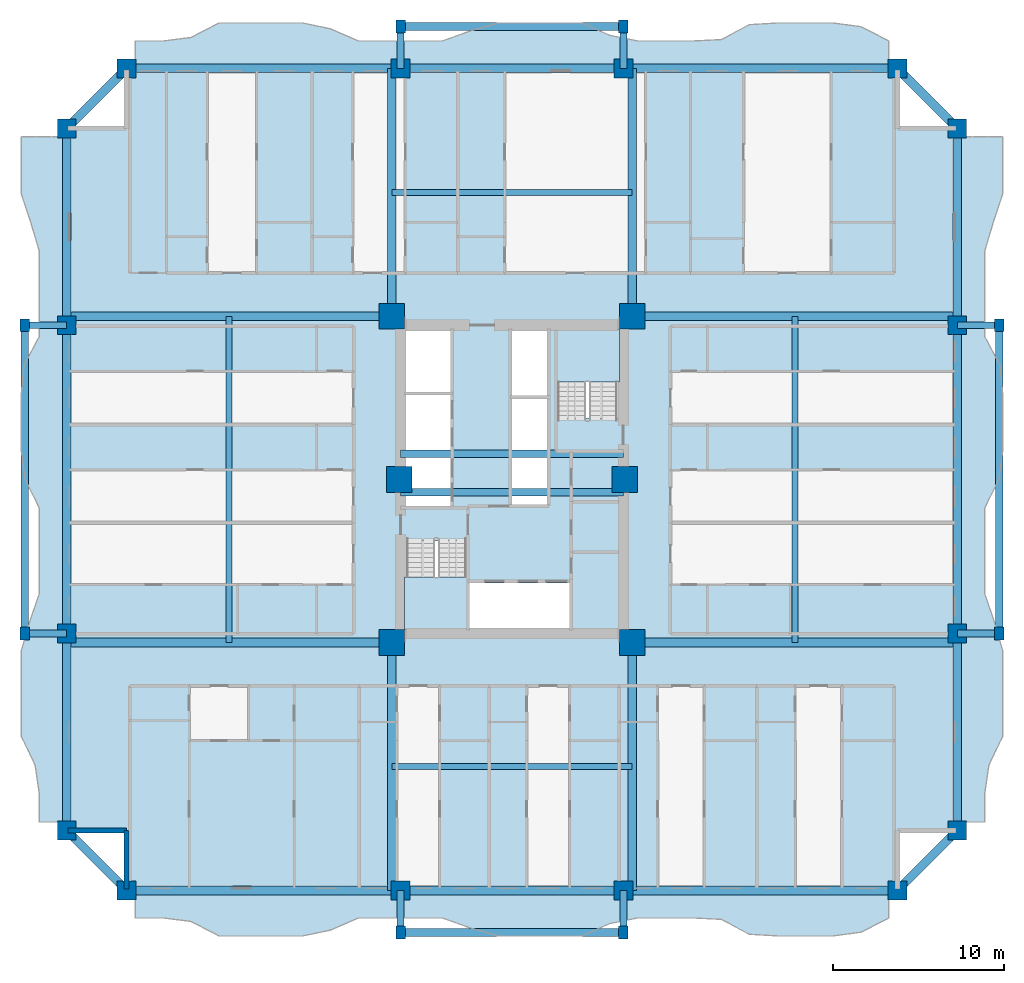
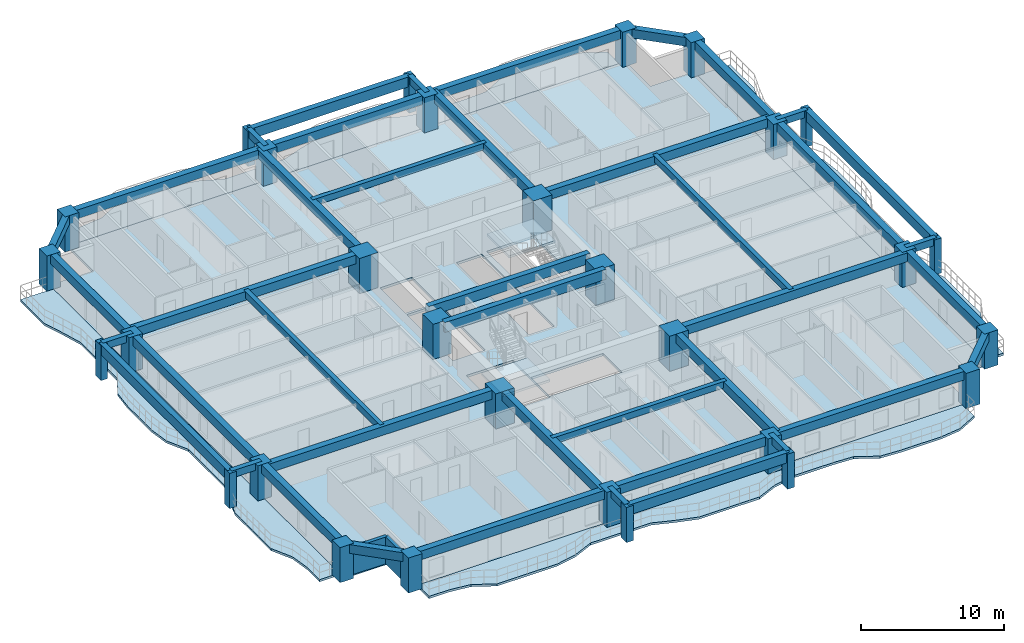
# One storey, part 1 of 16: 42 beams, 30 columns, 7 slabs, 2 walls, 2 elements without a shape of their own.
"""IFC4 building model written with IfcOpenShell, lengths in metres."""

from ifc_helpers import new_model, si_unit, direction, frame, frame_2d, origin, origin_2d, place, context, subcontext, project, spatial, polyline, rectangle, outline, extrude, source, transform, mapped, material, layer, layer_set, material_profile, profile_set, type_object, element, aggregate, save


model = new_model("IFC4")

# Units and contexts
model_context = context("Model", 3, precision=1e-05, world=origin(), true_north=direction((0.0, 1.0)))
body_context = subcontext(model_context, "Body", "Model", "MODEL_VIEW")
ifc_project = project(units=[si_unit("LENGTHUNIT", "METRE"), si_unit("AREAUNIT", "SQUARE_METRE"), si_unit("VOLUMEUNIT", "CUBIC_METRE"), si_unit("PLANEANGLEUNIT", "RADIAN"), si_unit("MASSUNIT", "GRAM", prefix="KILO")], contexts=[model_context])

# Site, building, storey
site_placement = place(None, origin())
site = spatial("IfcSite", under=ifc_project, at=site_placement, CompositionType="ELEMENT")
building_placement = place(site_placement, origin())
building = spatial("IfcBuilding", under=site, at=building_placement, Name="Saelheon Loggia Tower", CompositionType="ELEMENT")
storey_placement = place(building_placement, frame((0.0, 0.0, 58.39990234375)))
storey = spatial("IfcBuildingStorey", under=building, at=storey_placement, Name="L18", CompositionType="ELEMENT", Elevation=58.39990234375)

# Columns
ifc_material_1 = material(Name="Concrete C60/75", Category="concrete")
ifc_material_profile_1 = material_profile(ifc_material_1, rectangle(XDim=1.5, YDim=1.5, at=origin_2d()), Name="RC-1500x1500")
ifc_profile_set_1 = profile_set([ifc_material_profile_1], Name="Concrete C60/75")
column_type_1 = type_object("IfcColumnType", Name="Col_Core_RC1500", PredefinedType="COLUMN", material=ifc_profile_set_1)
shared_shape_1 = source(origin(), body_context, "Body", "SweptSolid", [
    extrude(rectangle(XDim=1.5, YDim=1.5, at=origin_2d()), origin(), (0.0, 0.0, 1.0), 3.0),
])
for number, where, z_axis, x_axis, name in (
    (1, (30.97998046875, 17.47998046875, 0.0), (0.0, 0.0, 1.0), (1.0, 0.0, 0.0), "L18 Core Column CR-SW"),
    (2, (45.02001953125, 17.47998046875, 0.0), (0.0, 0.0, 1.0), (1.0, 0.0, 0.0), "L18 Core Column CR-SE"),
    (3, (30.97998046875, 36.52001953125, 0.0), (0.0, 0.0, 1.0), (1.0, 0.0, 0.0), "L18 Core Column CR-NW"),
    (4, (45.02001953125, 36.52001953125, 0.0), (0.0, 0.0, 1.0), (1.0, 0.0, 0.0), "L18 Core Column CR-NE"),
    (5, (31.419921875, 27.0, 0.0), (0.0, 0.0, 1.0), (1.0, 0.0, 0.0), "L18 Core Column CR-MW"),
    (6, (44.580078125, 27.0, 0.0), (0.0, 0.0, 1.0), (1.0, 0.0, 0.0), "L18 Core Column CR-ME"),
):
    element("IfcColumn", number, at=place(storey_placement, frame(where, z_axis=z_axis, x_axis=x_axis)), inside=storey, type_object=column_type_1, Name=name, PredefinedType="COLUMN", context=body_context, shape_type="MappedRepresentation", body=[
        mapped(shared_shape_1, transform((0.0, 0.0, 0.0), scale=1.0)),
    ])
ifc_material_2 = material(Name="Concrete C50/60", Category="concrete")
ifc_material_profile_2 = material_profile(ifc_material_2, rectangle(XDim=1.10009765625, YDim=1.10009765625, at=origin_2d()), Name="RC-1100x1100")
ifc_profile_set_2 = profile_set([ifc_material_profile_2], Name="Concrete C50/60")
column_type_2 = type_object("IfcColumnType", Name="Col_PerimExt_RC1100", PredefinedType="COLUMN", material=ifc_profile_set_2)
shared_shape_2 = source(origin(), body_context, "Body", "SweptSolid", [
    extrude(rectangle(XDim=1.10009765625, YDim=1.10009765625, at=origin_2d()), origin(), (0.0, 0.0, 1.0), 3.0),
])
for number, where, z_axis, x_axis, name in (
    (7, (15.5, 3.0, 0.0), (0.0, 0.0, 1.0), (1.0, 0.0, 0.0), "L18 Perimeter Column TP-S1"),
    (8, (31.5, 3.0, 0.0), (0.0, 0.0, 1.0), (1.0, 0.0, 0.0), "L18 Perimeter Column TP-SA"),
    (9, (44.5, 3.0, 0.0), (0.0, 0.0, 1.0), (1.0, 0.0, 0.0), "L18 Perimeter Column TP-SB"),
    (10, (60.5, 3.0, 0.0), (0.0, 0.0, 1.0), (1.0, 0.0, 0.0), "L18 Perimeter Column TP-S2"),
    (11, (64.0, 6.5, 0.0), (0.0, 0.0, 1.0), (1.0, 0.0, 0.0), "L18 Perimeter Column TP-E1"),
    (12, (64.0, 18.0, 0.0), (0.0, 0.0, 1.0), (1.0, 0.0, 0.0), "L18 Perimeter Column TP-EA"),
    (13, (64.0, 36.0, 0.0), (0.0, 0.0, 1.0), (1.0, 0.0, 0.0), "L18 Perimeter Column TP-EB"),
    (14, (64.0, 47.5, 0.0), (0.0, 0.0, 1.0), (1.0, 0.0, 0.0), "L18 Perimeter Column TP-E2"),
    (15, (60.5, 51.0, 0.0), (0.0, 0.0, 1.0), (1.0, 0.0, 0.0), "L18 Perimeter Column TP-N2"),
    (16, (44.5, 51.0, 0.0), (0.0, 0.0, 1.0), (1.0, 0.0, 0.0), "L18 Perimeter Column TP-NB"),
    (17, (31.5, 51.0, 0.0), (0.0, 0.0, 1.0), (1.0, 0.0, 0.0), "L18 Perimeter Column TP-NA"),
    (18, (15.5, 51.0, 0.0), (0.0, 0.0, 1.0), (1.0, 0.0, 0.0), "L18 Perimeter Column TP-N1"),
    (19, (12.0, 47.5, 0.0), (0.0, 0.0, 1.0), (1.0, 0.0, 0.0), "L18 Perimeter Column TP-W2"),
    (20, (12.0, 36.0, 0.0), (0.0, 0.0, 1.0), (1.0, 0.0, 0.0), "L18 Perimeter Column TP-WB"),
    (21, (12.0, 18.0, 0.0), (0.0, 0.0, 1.0), (1.0, 0.0, 0.0), "L18 Perimeter Column TP-WA"),
    (22, (12.0, 6.5, 0.0), (0.0, 0.0, 1.0), (1.0, 0.0, 0.0), "L18 Perimeter Column TP-W1"),
):
    element("IfcColumn", number, at=place(storey_placement, frame(where, z_axis=z_axis, x_axis=x_axis)), inside=storey, type_object=column_type_2, Name=name, PredefinedType="COLUMN", context=body_context, shape_type="MappedRepresentation", body=[
        mapped(shared_shape_2, transform((0.0, 0.0, 0.0), scale=1.0)),
    ])
ifc_material_3 = material(Name="Precast Concrete C45/55", Category="concrete")
ifc_material_profile_3 = material_profile(ifc_material_3, rectangle(XDim=0.550048828125, YDim=0.75, at=origin_2d()), Name="RC-550x750")
ifc_profile_set_3 = profile_set([ifc_material_profile_3], Name="Precast Concrete C45/55")
column_type_3 = type_object("IfcColumnType", Name="Col_Loggia_Pilaster_750", PredefinedType="PILASTER", material=ifc_profile_set_3)
shared_shape_3 = source(origin(), body_context, "Body", "SweptSolid", [
    extrude(rectangle(XDim=0.550048828125, YDim=0.75, at=origin_2d()), origin(), (0.0, 0.0, 1.0), 3.0),
])
for number, where, z_axis, x_axis, name in (
    (23, (31.5, 0.550048828125, 0.0), (0.0, 0.0, 1.0), (1.0, 0.0, 0.0), "L18 Loggia Frame Pilaster LP-S1"),
    (24, (44.5, 0.550048828125, 0.0), (0.0, 0.0, 1.0), (1.0, 0.0, 0.0), "L18 Loggia Frame Pilaster LP-S2"),
    (25, (31.5, 53.449951171875, 0.0), (0.0, 0.0, 1.0), (1.0, 0.0, 0.0), "L18 Loggia Frame Pilaster LP-N1"),
    (26, (44.5, 53.449951171875, 0.0), (0.0, 0.0, 1.0), (1.0, 0.0, 0.0), "L18 Loggia Frame Pilaster LP-N2"),
    (27, (66.449951171875, 18.0, 0.0), (0.0, 0.0, 1.0), (1.0, 0.0, 0.0), "L18 Loggia Frame Pilaster LP-E1"),
    (28, (66.449951171875, 36.0, 0.0), (0.0, 0.0, 1.0), (1.0, 0.0, 0.0), "L18 Loggia Frame Pilaster LP-E2"),
    (29, (9.550048828125, 18.0, 0.0), (0.0, 0.0, 1.0), (1.0, 0.0, 0.0), "L18 Loggia Frame Pilaster LP-W1"),
    (30, (9.550048828125, 36.0, 0.0), (0.0, 0.0, 1.0), (1.0, 0.0, 0.0), "L18 Loggia Frame Pilaster LP-W2"),
):
    element("IfcColumn", number, at=place(storey_placement, frame(where, z_axis=z_axis, x_axis=x_axis)), inside=storey, type_object=column_type_3, Name=name, PredefinedType="PILASTER", context=body_context, shape_type="MappedRepresentation", body=[
        mapped(shared_shape_3, transform((0.0, 0.0, 0.0), scale=1.0)),
    ])

# Beams
ifc_material_profile_4 = material_profile(ifc_material_2, rectangle(XDim=0.449951171875, YDim=0.85009765625, at=origin_2d()), Name="RC-450x850")
ifc_profile_set_4 = profile_set([ifc_material_profile_4], Name="Concrete C50/60")
beam_type_1 = type_object("IfcBeamType", Name="Beam_CoreLintel_RC450x850", PredefinedType="LINTEL", material=ifc_profile_set_4)
shared_shape_4 = source(origin(), body_context, "Body", "SweptSolid", [
    extrude(rectangle(XDim=0.449951171875, YDim=0.85009765625, at=origin_2d()), origin(), (0.0, 0.0, 1.0), 13.0),
])
for number, where, z_axis, x_axis, name in (
    (31, (31.5, 26.25, 2.5751953125), (1.0, 0.0, 0.0), (0.0, 1.0, 0.0), "L18 Core Coupling Lintel 1"),
    (32, (31.5, 28.5, 2.5751953125), (1.0, 0.0, 0.0), (0.0, 1.0, 0.0), "L18 Core Coupling Lintel 2"),
):
    element("IfcBeam", number, at=place(storey_placement, frame(where, z_axis=z_axis, x_axis=x_axis)), inside=storey, type_object=beam_type_1, Name=name, PredefinedType="LINTEL", context=body_context, shape_type="MappedRepresentation", body=[
        mapped(shared_shape_4, transform((0.0, 0.0, 0.0), scale=1.0)),
    ])
ifc_material_profile_5 = material_profile(ifc_material_3, rectangle(XDim=0.449951171875, YDim=0.85009765625, at=origin_2d()), Name="RC-450x850")
ifc_profile_set_5 = profile_set([ifc_material_profile_5], Name="Precast Concrete C45/55")
beam_type_2 = type_object("IfcBeamType", Name="Beam_LoggiaSpandrel_RC450x850", PredefinedType="SPANDREL", material=ifc_profile_set_5)
for number, where, z_axis, x_axis, name in (
    (33, (31.5, 0.550048828125, 2.5751953125), (1.0, 0.0, 0.0), (0.0, 1.0, 0.0), "L18 Loggia Spandrel Beam S"),
    (34, (31.5, 53.449951171875, 2.5751953125), (1.0, 0.0, 0.0), (0.0, 1.0, 0.0), "L18 Loggia Spandrel Beam N"),
):
    element("IfcBeam", number, at=place(storey_placement, frame(where, z_axis=z_axis, x_axis=x_axis)), inside=storey, type_object=beam_type_2, Name=name, PredefinedType="SPANDREL", context=body_context, shape_type="MappedRepresentation", body=[
        mapped(shared_shape_4, transform((0.0, 0.0, 0.0), scale=1.0)),
    ])
ifc_material_4 = material(Name="Concrete C45/55", Category="concrete")
ifc_material_profile_6 = material_profile(ifc_material_4, rectangle(XDim=0.5, YDim=0.75, at=origin_2d()), Name="RC-500x750")
ifc_profile_set_6 = profile_set([ifc_material_profile_6], Name="Concrete C45/55")
beam_type_3 = type_object("IfcBeamType", Name="Beam_FloorGirder_RC500x750", PredefinedType="BEAM", material=ifc_profile_set_6)
shared_shape_5 = source(origin(), body_context, "Body", "SweptSolid", [
    extrude(rectangle(XDim=0.5, YDim=0.75, at=origin_2d()), origin(), (0.0, 0.0, 1.0), 14.47998046875),
])
for number, where, z_axis, x_axis, name in (
    (35, (30.97998046875, 17.47998046875, 2.625), (0.0, -1.0, 0.0), (1.0, 0.0, 0.0), "L18 Radial Floor Girder RAD-SW-S"),
    (36, (45.02001953125, 17.47998046875, 2.625), (0.0, -1.0, 0.0), (1.0, 0.0, 0.0), "L18 Radial Floor Girder RAD-SE-S"),
    (37, (30.97998046875, 36.52001953125, 2.625), (0.0, 1.0, 0.0), (-1.0, 0.0, 0.0), "L18 Radial Floor Girder RAD-NW-N"),
    (38, (45.02001953125, 36.52001953125, 2.625), (0.0, 1.0, 0.0), (-1.0, 0.0, 0.0), "L18 Radial Floor Girder RAD-NE-N"),
):
    element("IfcBeam", number, at=place(storey_placement, frame(where, z_axis=z_axis, x_axis=x_axis)), inside=storey, type_object=beam_type_3, Name=name, PredefinedType="BEAM", context=body_context, shape_type="MappedRepresentation", body=[
        mapped(shared_shape_5, transform((0.0, 0.0, 0.0), scale=1.0)),
    ])
ifc_material_profile_7 = material_profile(ifc_material_4, rectangle(XDim=0.5, YDim=0.75, at=origin_2d()), Name="RC-500x750")
ifc_profile_set_7 = profile_set([ifc_material_profile_7], Name="Concrete C45/55")
beam_type_4 = type_object("IfcBeamType", Name="Beam_PerimGirder_RC500x750", PredefinedType="BEAM", material=ifc_profile_set_7)
shared_shape_6 = source(origin(), body_context, "Body", "SweptSolid", [
    extrude(rectangle(XDim=0.5, YDim=0.75, at=origin_2d()), origin(), (0.0, 0.0, 1.0), 16.0),
])
for number, where, z_axis, x_axis, name in (
    (39, (15.5, 3.0, 2.625), (1.0, 0.0, 0.0), (0.0, 1.0, 0.0), "L18 Perimeter Frame Girder 01"),
    (40, (44.5, 3.0, 2.625), (1.0, 0.0, 0.0), (0.0, 1.0, 0.0), "L18 Perimeter Frame Girder 03"),
    (41, (60.5, 51.0, 2.625), (-1.0, 0.0, 0.0), (0.0, -1.0, 0.0), "L18 Perimeter Frame Girder 09"),
    (42, (31.5, 51.0, 2.625), (-1.0, 0.0, 0.0), (0.0, -1.0, 0.0), "L18 Perimeter Frame Girder 11"),
):
    element("IfcBeam", number, at=place(storey_placement, frame(where, z_axis=z_axis, x_axis=x_axis)), inside=storey, type_object=beam_type_4, Name=name, PredefinedType="BEAM", context=body_context, shape_type="MappedRepresentation", body=[
        mapped(shared_shape_6, transform((0.0, 0.0, 0.0), scale=1.0)),
    ])
shared_shape_7 = source(origin(), body_context, "Body", "SweptSolid", [
    extrude(rectangle(XDim=0.5, YDim=0.75, at=origin_2d()), origin(), (0.0, 0.0, 1.0), 13.0),
])
for number, where, z_axis, x_axis, name in (
    (43, (31.5, 3.0, 2.625), (1.0, 0.0, 0.0), (0.0, 1.0, 0.0), "L18 Perimeter Frame Girder 02"),
    (44, (44.5, 51.0, 2.625), (-1.0, 0.0, 0.0), (0.0, -1.0, 0.0), "L18 Perimeter Frame Girder 10"),
):
    element("IfcBeam", number, at=place(storey_placement, frame(where, z_axis=z_axis, x_axis=x_axis)), inside=storey, type_object=beam_type_4, Name=name, PredefinedType="BEAM", context=body_context, shape_type="MappedRepresentation", body=[
        mapped(shared_shape_7, transform((0.0, 0.0, 0.0), scale=1.0)),
    ])
shared_shape_8 = source(origin(), body_context, "Body", "SweptSolid", [
    extrude(rectangle(XDim=0.5, YDim=0.75, at=origin_2d()), origin(), (0.0, 0.0, 1.0), 4.94970703125),
])
for number, where, z_axis, x_axis, name in (
    (45, (60.5, 3.0, 2.625), (0.707106781187, 0.707106781187, 0.0), (-0.707106781187, 0.707106781187, 0.0), "L18 Perimeter Frame Girder 04"),
    (46, (64.0, 47.5, 2.625), (-0.707106781187, 0.707106781187, 0.0), (-0.707106781187, -0.707106781187, 0.0), "L18 Perimeter Frame Girder 08"),
    (47, (15.5, 51.0, 2.625), (-0.707106781187, -0.707106781187, 0.0), (0.707106781187, -0.707106781187, 0.0), "L18 Perimeter Frame Girder 12"),
    (48, (12.0, 6.5, 2.625), (0.707106781187, -0.707106781187, 0.0), (0.707106781187, 0.707106781187, 0.0), "L18 Perimeter Frame Girder 16"),
):
    element("IfcBeam", number, at=place(storey_placement, frame(where, z_axis=z_axis, x_axis=x_axis)), inside=storey, type_object=beam_type_4, Name=name, PredefinedType="BEAM", context=body_context, shape_type="MappedRepresentation", body=[
        mapped(shared_shape_8, transform((0.0, 0.0, 0.0), scale=1.0)),
    ])
shared_shape_9 = source(origin(), body_context, "Body", "SweptSolid", [
    extrude(rectangle(XDim=0.5, YDim=0.75, at=origin_2d()), origin(), (0.0, 0.0, 1.0), 11.5),
])
for number, where, z_axis, x_axis, name in (
    (49, (64.0, 6.5, 2.625), (0.0, 1.0, 0.0), (-1.0, 0.0, 0.0), "L18 Perimeter Frame Girder 05"),
    (50, (64.0, 36.0, 2.625), (0.0, 1.0, 0.0), (-1.0, 0.0, 0.0), "L18 Perimeter Frame Girder 07"),
    (51, (12.0, 47.5, 2.625), (0.0, -1.0, 0.0), (1.0, 0.0, 0.0), "L18 Perimeter Frame Girder 13"),
    (52, (12.0, 18.0, 2.625), (0.0, -1.0, 0.0), (1.0, 0.0, 0.0), "L18 Perimeter Frame Girder 15"),
):
    element("IfcBeam", number, at=place(storey_placement, frame(where, z_axis=z_axis, x_axis=x_axis)), inside=storey, type_object=beam_type_4, Name=name, PredefinedType="BEAM", context=body_context, shape_type="MappedRepresentation", body=[
        mapped(shared_shape_9, transform((0.0, 0.0, 0.0), scale=1.0)),
    ])
shared_shape_10 = source(origin(), body_context, "Body", "SweptSolid", [
    extrude(rectangle(XDim=0.5, YDim=0.75, at=origin_2d()), origin(), (0.0, 0.0, 1.0), 18.0),
])
for number, where, z_axis, x_axis, name in (
    (53, (64.0, 18.0, 2.625), (0.0, 1.0, 0.0), (-1.0, 0.0, 0.0), "L18 Perimeter Frame Girder 06"),
    (54, (12.0, 36.0, 2.625), (0.0, -1.0, 0.0), (1.0, 0.0, 0.0), "L18 Perimeter Frame Girder 14"),
):
    element("IfcBeam", number, at=place(storey_placement, frame(where, z_axis=z_axis, x_axis=x_axis)), inside=storey, type_object=beam_type_4, Name=name, PredefinedType="BEAM", context=body_context, shape_type="MappedRepresentation", body=[
        mapped(shared_shape_10, transform((0.0, 0.0, 0.0), scale=1.0)),
    ])
shared_shape_11 = source(origin(), body_context, "Body", "SweptSolid", [
    extrude(rectangle(XDim=0.5, YDim=0.75, at=origin_2d()), origin(), (0.0, 0.0, 1.0), 18.97998046875),
])
for number, where, z_axis, x_axis, name in (
    (55, (30.97998046875, 17.47998046875, 2.625), (-1.0, 0.0, 0.0), (0.0, -1.0, 0.0), "L18 Radial Floor Girder RAD-SW-W"),
    (56, (30.97998046875, 36.52001953125, 2.625), (-1.0, 0.0, 0.0), (0.0, -1.0, 0.0), "L18 Radial Floor Girder RAD-NW-W"),
    (57, (45.02001953125, 17.47998046875, 2.625), (1.0, 0.0, 0.0), (0.0, 1.0, 0.0), "L18 Radial Floor Girder RAD-SE-E"),
    (58, (45.02001953125, 36.52001953125, 2.625), (1.0, 0.0, 0.0), (0.0, 1.0, 0.0), "L18 Radial Floor Girder RAD-NE-E"),
):
    element("IfcBeam", number, at=place(storey_placement, frame(where, z_axis=z_axis, x_axis=x_axis)), inside=storey, type_object=beam_type_3, Name=name, PredefinedType="BEAM", context=body_context, shape_type="MappedRepresentation", body=[
        mapped(shared_shape_11, transform((0.0, 0.0, 0.0), scale=1.0)),
    ])
ifc_material_5 = material(Name="Concrete C40/50", Category="concrete")
ifc_material_profile_8 = material_profile(ifc_material_5, rectangle(XDim=0.35009765625, YDim=0.550048828125, at=origin_2d()), Name="RC-350x550")
ifc_profile_set_8 = profile_set([ifc_material_profile_8], Name="Concrete C40/50")
beam_type_5 = type_object("IfcBeamType", Name="Beam_Joist_RC350x550", PredefinedType="JOIST", material=ifc_profile_set_8)
shared_shape_12 = source(origin(), body_context, "Body", "SweptSolid", [
    extrude(rectangle(XDim=0.35009765625, YDim=0.550048828125, at=origin_2d()), origin(), (0.0, 0.0, 1.0), 14.0400390625),
])
for number, where, z_axis, x_axis, name in (
    (59, (30.97998046875, 10.239990234375, 2.72509765625), (1.0, 0.0, 0.0), (0.0, 1.0, 0.0), "L18 South Floor Joist"),
    (60, (30.97998046875, 43.760009765625, 2.72509765625), (1.0, 0.0, 0.0), (0.0, 1.0, 0.0), "L18 North Floor Joist"),
):
    element("IfcBeam", number, at=place(storey_placement, frame(where, z_axis=z_axis, x_axis=x_axis)), inside=storey, type_object=beam_type_5, Name=name, PredefinedType="JOIST", context=body_context, shape_type="MappedRepresentation", body=[
        mapped(shared_shape_12, transform((0.0, 0.0, 0.0), scale=1.0)),
    ])
shared_shape_13 = source(origin(), body_context, "Body", "SweptSolid", [
    extrude(rectangle(XDim=0.35009765625, YDim=0.550048828125, at=origin_2d()), origin(), (0.0, 0.0, 1.0), 19.0400390625),
])
for number, where, z_axis, x_axis, name in (
    (61, (21.489990234375, 17.47998046875, 2.72509765625), (0.0, 1.0, 0.0), (-1.0, 0.0, 0.0), "L18 West Floor Joist"),
    (62, (54.510009765625, 17.47998046875, 2.72509765625), (0.0, 1.0, 0.0), (-1.0, 0.0, 0.0), "L18 East Floor Joist"),
):
    element("IfcBeam", number, at=place(storey_placement, frame(where, z_axis=z_axis, x_axis=x_axis)), inside=storey, type_object=beam_type_5, Name=name, PredefinedType="JOIST", context=body_context, shape_type="MappedRepresentation", body=[
        mapped(shared_shape_13, transform((0.0, 0.0, 0.0), scale=1.0)),
    ])
ifc_material_profile_9 = material_profile(ifc_material_3, rectangle(XDim=0.39990234375, YDim=0.60009765625, at=origin_2d()), Name="RC-400x600")
ifc_profile_set_9 = profile_set([ifc_material_profile_9], Name="Precast Concrete C45/55")
beam_type_6 = type_object("IfcBeamType", Name="Beam_LoggiaTie_RC400x600", PredefinedType="BEAM", material=ifc_profile_set_9)
shared_shape_14 = source(origin(), body_context, "Body", "SweptSolid", [
    extrude(rectangle(XDim=0.39990234375, YDim=0.60009765625, at=origin_2d()), origin(), (0.0, 0.0, 1.0), 2.449951171875),
])
for number, where, z_axis, x_axis, name in (
    (63, (31.5, 3.0, 2.7001953125), (0.0, -1.0, 0.0), (1.0, 0.0, 0.0), "L18 Loggia Frame Tie Beam LP-S1"),
    (64, (44.5, 3.0, 2.7001953125), (0.0, -1.0, 0.0), (1.0, 0.0, 0.0), "L18 Loggia Frame Tie Beam LP-S2"),
    (65, (31.5, 51.0, 2.7001953125), (0.0, 1.0, 0.0), (-1.0, 0.0, 0.0), "L18 Loggia Frame Tie Beam LP-N1"),
    (66, (44.5, 51.0, 2.7001953125), (0.0, 1.0, 0.0), (-1.0, 0.0, 0.0), "L18 Loggia Frame Tie Beam LP-N2"),
    (67, (64.0, 18.0, 2.7001953125), (1.0, 0.0, 0.0), (0.0, 1.0, 0.0), "L18 Loggia Frame Tie Beam LP-E1"),
    (68, (64.0, 36.0, 2.7001953125), (1.0, 0.0, 0.0), (0.0, 1.0, 0.0), "L18 Loggia Frame Tie Beam LP-E2"),
    (69, (12.0, 18.0, 2.7001953125), (-1.0, 0.0, 0.0), (0.0, -1.0, 0.0), "L18 Loggia Frame Tie Beam LP-W1"),
    (70, (12.0, 36.0, 2.7001953125), (-1.0, 0.0, 0.0), (0.0, -1.0, 0.0), "L18 Loggia Frame Tie Beam LP-W2"),
):
    element("IfcBeam", number, at=place(storey_placement, frame(where, z_axis=z_axis, x_axis=x_axis)), inside=storey, type_object=beam_type_6, Name=name, PredefinedType="BEAM", context=body_context, shape_type="MappedRepresentation", body=[
        mapped(shared_shape_14, transform((0.0, 0.0, 0.0), scale=1.0)),
    ])
shared_shape_15 = source(origin(), body_context, "Body", "SweptSolid", [
    extrude(rectangle(XDim=0.449951171875, YDim=0.85009765625, at=origin_2d()), origin(), (0.0, 0.0, 1.0), 18.0),
])
for number, where, z_axis, x_axis, name in (
    (71, (66.449951171875, 18.0, 2.5751953125), (0.0, 1.0, 0.0), (-1.0, 0.0, 0.0), "L18 Loggia Spandrel Beam E"),
    (72, (9.550048828125, 18.0, 2.5751953125), (0.0, 1.0, 0.0), (-1.0, 0.0, 0.0), "L18 Loggia Spandrel Beam W"),
):
    element("IfcBeam", number, at=place(storey_placement, frame(where, z_axis=z_axis, x_axis=x_axis)), inside=storey, type_object=beam_type_2, Name=name, PredefinedType="SPANDREL", context=body_context, shape_type="MappedRepresentation", body=[
        mapped(shared_shape_15, transform((0.0, 0.0, 0.0), scale=1.0)),
    ])

# Slabs
ifc_layer_1 = layer(ifc_material_3, 0.18994140625)
ifc_layer_set_1 = layer_set([ifc_layer_1], Name="Precast Concrete C45/55")
slab_type_1 = type_object("IfcSlabType", Name="Slab_Loggia_Ext_190", PredefinedType="FLOOR", material=ifc_layer_set_1)
slab_1_placement = place(storey_placement, frame((0.0, 0.0, -0.18994140625)))
element("IfcSlab", 73, at=slab_1_placement, inside=storey, type_object=slab_type_1, Name="L18 Loggia Balcony Slab S", PredefinedType="FLOOR", context=body_context, shape_type="SweptSolid", body=[
    extrude(outline(polyline([(16.0, 1.39990234375), (17.629638671875, 1.39990234375), (19.25927734375, 1.194580078125), (20.888916015625, 0.35009765625), (22.5185546875, 0.35009765625), (24.148193359375, 0.35009765625), (25.77783203125, 0.35009765625), (27.407470703125, 0.69140625), (29.037109375, 1.39990234375), (30.666748046875, 1.39990234375), (32.29638671875, 1.39990234375), (33.92578125, 1.39990234375), (35.5556640625, 0.81982421875), (37.185302734375, 0.35009765625), (38.814697265625, 0.35009765625), (40.4443359375, 0.35009765625), (42.07421875, 0.35009765625), (43.70361328125, 1.068603515625), (45.333251953125, 1.39990234375), (46.962890625, 1.39990234375), (48.592529296875, 1.39990234375), (50.22216796875, 1.3173828125), (51.851806640625, 0.447509765625), (53.4814453125, 0.35009765625), (55.111083984375, 0.35009765625), (56.74072265625, 0.35009765625), (58.370361328125, 0.564208984375), (60.0, 1.39990234375), (60.0, 3.0), (16.0, 3.0), (16.0, 1.39990234375)])), origin(), (0.0, 0.0, 1.0), 0.18994140625),
])
slab_2_placement = place(storey_placement, frame((0.0, 0.0, -0.18994140625)))
element("IfcSlab", 74, at=slab_2_placement, inside=storey, type_object=slab_type_1, Name="L18 Loggia Balcony Slab N", PredefinedType="FLOOR", context=body_context, shape_type="SweptSolid", body=[
    extrude(outline(polyline([(16.0, 51.0), (60.0, 51.0), (60.0, 52.60009765625), (58.370361328125, 53.435791015625), (56.74072265625, 53.64990234375), (55.111083984375, 53.64990234375), (53.4814453125, 53.64990234375), (51.851806640625, 53.552490234375), (50.22216796875, 52.6826171875), (48.592529296875, 52.60009765625), (46.962890625, 52.60009765625), (45.333251953125, 52.60009765625), (43.70361328125, 52.931396484375), (42.07421875, 53.64990234375), (40.4443359375, 53.64990234375), (38.814697265625, 53.64990234375), (37.185302734375, 53.64990234375), (35.5556640625, 53.18017578125), (33.92578125, 52.60009765625), (32.29638671875, 52.60009765625), (30.666748046875, 52.60009765625), (29.037109375, 52.60009765625), (27.407470703125, 53.30859375), (25.77783203125, 53.64990234375), (24.148193359375, 53.64990234375), (22.5185546875, 53.64990234375), (20.888916015625, 53.64990234375), (19.25927734375, 52.805419921875), (17.629638671875, 52.60009765625), (16.0, 52.60009765625), (16.0, 51.0)])), origin(), (0.0, 0.0, 1.0), 0.18994140625),
])
slab_3_placement = place(storey_placement, frame((0.0, 0.0, -0.18994140625)))
element("IfcSlab", 75, at=slab_3_placement, inside=storey, type_object=slab_type_1, Name="L18 Loggia Balcony Slab E", PredefinedType="FLOOR", context=body_context, shape_type="SweptSolid", body=[
    extrude(outline(polyline([(64.0, 7.0), (65.60009765625, 7.0), (65.60009765625, 8.666748046875), (65.844482421875, 10.333251953125), (66.64990234375, 12.0), (66.64990234375, 13.666748046875), (66.64990234375, 15.333251953125), (66.64990234375, 17.0), (66.168212890625, 18.666748046875), (65.60009765625, 20.333251953125), (65.60009765625, 22.0), (65.60009765625, 23.666748046875), (65.60009765625, 25.333251953125), (66.419921875, 27.0), (66.64990234375, 28.666748046875), (66.64990234375, 30.333251953125), (66.64990234375, 32.0), (66.490478515625, 33.666748046875), (65.604248046875, 35.333251953125), (65.60009765625, 37.0), (65.60009765625, 38.666748046875), (65.60009765625, 40.333251953125), (66.095703125, 42.0), (66.64990234375, 43.666748046875), (66.64990234375, 45.333251953125), (66.64990234375, 47.0), (64.0, 47.0), (64.0, 7.0)])), origin(), (0.0, 0.0, 1.0), 0.18994140625),
])
slab_4_placement = place(storey_placement, frame((0.0, 0.0, -0.18994140625)))
element("IfcSlab", 76, at=slab_4_placement, inside=storey, type_object=slab_type_1, Name="L18 Loggia Balcony Slab W", PredefinedType="FLOOR", context=body_context, shape_type="SweptSolid", body=[
    extrude(outline(polyline([(12.0, 7.0), (12.0, 47.0), (9.35009765625, 47.0), (9.35009765625, 45.333251953125), (9.35009765625, 43.666748046875), (9.904296875, 42.0), (10.39990234375, 40.333251953125), (10.39990234375, 38.666748046875), (10.39990234375, 37.0), (10.395751953125, 35.333251953125), (9.509521484375, 33.666748046875), (9.35009765625, 32.0), (9.35009765625, 30.333251953125), (9.35009765625, 28.666748046875), (9.580078125, 27.0), (10.39990234375, 25.333251953125), (10.39990234375, 23.666748046875), (10.39990234375, 22.0), (10.39990234375, 20.333251953125), (9.831787109375, 18.666748046875), (9.35009765625, 17.0), (9.35009765625, 15.333251953125), (9.35009765625, 13.666748046875), (9.35009765625, 12.0), (10.155517578125, 10.333251953125), (10.39990234375, 8.666748046875), (10.39990234375, 7.0), (12.0, 7.0)])), origin(), (0.0, 0.0, 1.0), 0.18994140625),
])

# Stair, slab
stair_type = type_object("IfcStairType", Name="Stair_Escape_Core", PredefinedType="HALF_TURN_STAIR", material=ifc_material_5)
stair_1_placement = place(storey_placement, origin())
stair_1 = element("IfcStair", 77, at=stair_1_placement, inside=storey, type_object=stair_type, Name="L18 Special Escape Stair ST1", PredefinedType="HALF_TURN_STAIR")
ifc_layer_2 = layer(ifc_material_5, 0.199951171875)
ifc_layer_set_2 = layer_set([ifc_layer_2], Name="Concrete C40/50")
slab_type_2 = type_object("IfcSlabType", Name="Slab_StairLanding_ST1", PredefinedType="LANDING", material=ifc_layer_set_2)
slab_5_placement = place(storey_placement, frame((0.0, 0.0, 1.300048828125)))
slab_5 = element("IfcSlab", 78, at=slab_5_placement, type_object=slab_type_2, Name="ST1 landing 1", PredefinedType="LANDING", context=body_context, shape_type="SweptSolid", body=[
    extrude(outline(polyline([(31.7099609375, 21.31005859375), (31.7099609375, 18.2099609375), (35.469970703125, 18.2099609375), (35.469970703125, 21.31005859375), (31.7099609375, 21.31005859375)])), origin(), (0.0, 0.0, 1.0), 0.199951171875),
])
aggregate(stair_1, [slab_5])

stair_2_placement = place(storey_placement, origin())
stair_2 = element("IfcStair", 79, at=stair_2_placement, inside=storey, type_object=stair_type, Name="L18 Special Escape Stair ST2", PredefinedType="HALF_TURN_STAIR")
ifc_layer_3 = layer(ifc_material_5, 0.199951171875)
ifc_layer_set_3 = layer_set([ifc_layer_3], Name="Concrete C40/50")
slab_type_3 = type_object("IfcSlabType", Name="Slab_StairLanding_ST2", PredefinedType="LANDING", material=ifc_layer_set_3)
slab_6_placement = place(storey_placement, frame((0.0, 0.0, 1.300048828125)))
slab_6 = element("IfcSlab", 80, at=slab_6_placement, type_object=slab_type_3, Name="ST2 landing 1", PredefinedType="LANDING", context=body_context, shape_type="SweptSolid", body=[
    extrude(outline(polyline([(44.2900390625, 32.68994140625), (44.2900390625, 35.7900390625), (40.530029296875, 35.7900390625), (40.530029296875, 32.68994140625), (44.2900390625, 32.68994140625)])), origin(), (0.0, 0.0, 1.0), 0.199951171875),
])
aggregate(stair_2, [slab_6])

# Slab
ifc_layer_4 = layer(ifc_material_5, 0.2099609375)
ifc_layer_set_4 = layer_set([ifc_layer_4], Name="Concrete C40/50")
slab_type_4 = type_object("IfcSlabType", Name="Slab_Tower_210", PredefinedType="FLOOR", material=ifc_layer_set_4)
slab_7_placement = place(storey_placement, frame((0.0, 0.0, -0.2099609375)))
element("IfcSlab", 81, at=slab_7_placement, inside=storey, type_object=slab_type_4, Name="L18 Tower Floor Slab", PredefinedType="FLOOR", context=body_context, shape_type="SweptSolid", body=[
    extrude(outline(polyline([(15.5, 3.0), (60.5, 3.0), (60.5, 6.5), (64.0, 6.5), (64.0, 47.5), (60.5, 47.5), (60.5, 51.0), (15.5, 51.0), (15.5, 47.5), (12.0, 47.5), (12.0, 6.5), (15.5, 6.5), (15.5, 3.0)]), holes=[polyline([(31.699951171875, 23.409912109375), (31.699951171875, 18.199951171875), (35.47998046875, 18.199951171875), (35.47998046875, 23.409912109375), (31.699951171875, 23.409912109375)]), polyline([(44.300048828125, 30.590087890625), (44.300048828125, 35.800048828125), (40.52001953125, 35.800048828125), (40.52001953125, 30.590087890625), (44.300048828125, 30.590087890625)]), polyline([(35.530029296875, 18.324951171875), (41.35009765625, 18.324951171875), (41.35009765625, 20.9599609375), (35.530029296875, 20.9599609375), (35.530029296875, 18.324951171875)]), polyline([(31.824951171875, 32.1201171875), (34.419921875, 32.1201171875), (34.419921875, 35.675048828125), (31.824951171875, 35.675048828125), (31.824951171875, 32.1201171875)]), polyline([(38.0, 31.89990234375), (40.050048828125, 31.89990234375), (40.050048828125, 35.675048828125), (38.0, 35.675048828125), (38.0, 31.89990234375)]), polyline([(31.824951171875, 25.449951171875), (34.419921875, 25.449951171875), (34.419921875, 31.919921875), (31.824951171875, 31.919921875), (31.824951171875, 25.449951171875)]), polyline([(38.0, 25.5400390625), (40.050048828125, 25.5400390625), (40.050048828125, 31.699951171875), (38.0, 31.699951171875), (38.0, 25.5400390625)])]), origin(), (0.0, 0.0, 1.0), 0.2099609375),
])

# Walls
ifc_material_6 = material(Name="Architectural Precast Concrete C40/50", Category="concrete")
ifc_layer_5 = layer(ifc_material_6, 0.280029296875)
ifc_layer_set_5 = layer_set([ifc_layer_5], Name="Architectural Precast Concrete C40/50")
wall_type = type_object("IfcWallType", Name="Wall_Ext_Loggia_280", PredefinedType="SOLIDWALL", material=ifc_layer_set_5)
for number, where, z_axis, x_axis, name in (
    (82, (15.5, 3.080078125, 0.0), (0.0, 0.0, 1.0), (0.0, 1.0, 0.0), "L18 Corner Notch Precast Wall SW1"),
    (83, (12.080078125, 6.5, 0.0), (0.0, 0.0, 1.0), (1.0, 0.0, 0.0), "L18 Corner Notch Precast Wall SW2"),
):
    element("IfcWall", number, at=place(storey_placement, frame(where, z_axis=z_axis, x_axis=x_axis)), inside=storey, type_object=wall_type, Name=name, PredefinedType="SOLIDWALL", context=body_context, shape_type="SweptSolid", body=[
        extrude(rectangle(XDim=3.419921875, YDim=0.280029296875, at=frame_2d((1.7099609375, 0.0))), origin(), (0.0, 0.0, 1.0), 2.280029296875),
    ])

save(model, "model.ifc")
